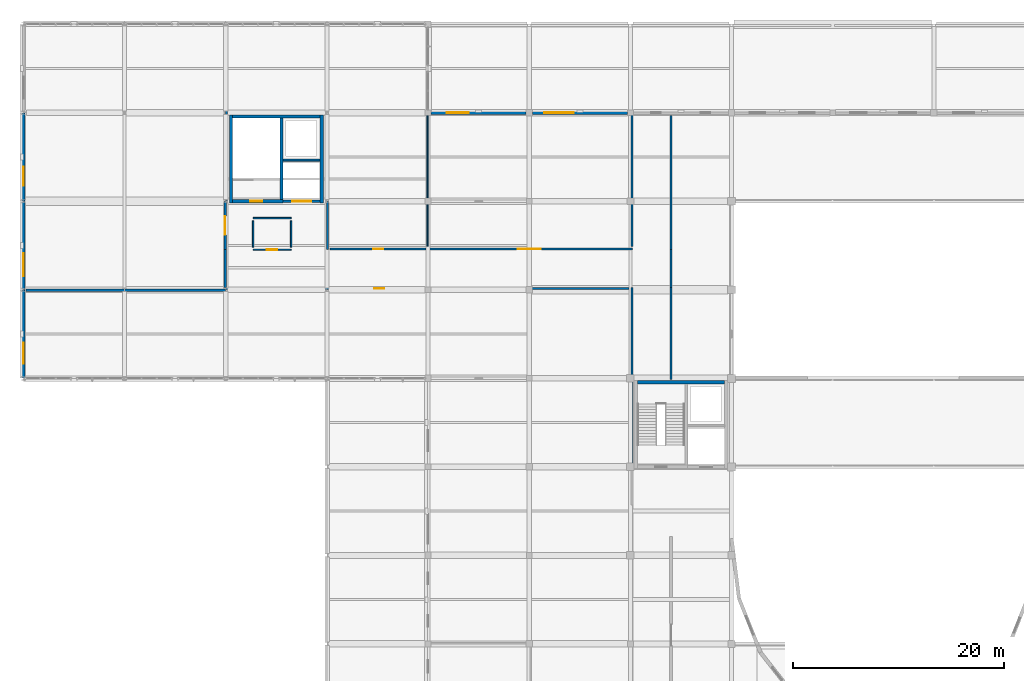
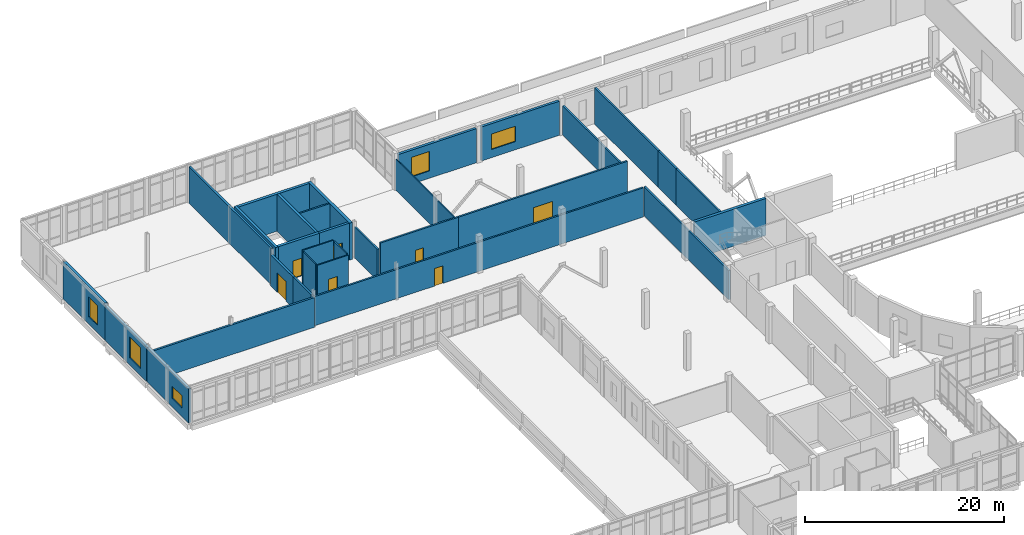
# One storey, part 76 of 88: 31 walls, 7 doors, 5 windows, 12 openings.
"""IFC4 building model written with IfcOpenShell, lengths in metres."""

from ifc_helpers import new_model, si_unit, direction, frame, frame_2d, origin, place, context, subcontext, project, spatial, rectangle, extrude, material, layer, layer_set, type_object, element, fill, save


model = new_model("IFC4")

# Units and contexts
model_context = context("Model", 3, precision=1e-05, world=origin(), true_north=direction((0.0, 1.0)))
body_context = subcontext(model_context, "Body", "Model", "MODEL_VIEW")
ifc_project = project(units=[si_unit("LENGTHUNIT", "METRE"), si_unit("AREAUNIT", "SQUARE_METRE"), si_unit("VOLUMEUNIT", "CUBIC_METRE"), si_unit("PLANEANGLEUNIT", "RADIAN"), si_unit("MASSUNIT", "GRAM", prefix="KILO")], contexts=[model_context])

# Site, building, storey
site_placement = place(None, origin())
site = spatial("IfcSite", under=ifc_project, at=site_placement, CompositionType="ELEMENT")
building_placement = place(site_placement, origin())
building = spatial("IfcBuilding", under=site, at=building_placement, Name="Lornevale Opera House", CompositionType="ELEMENT")
storey_placement = place(building_placement, frame((0.0, 0.0, 10.199951171875)))
storey = spatial("IfcBuildingStorey", under=building, at=storey_placement, Name="L03", CompositionType="ELEMENT", Elevation=10.199951171875)

# Wall, opening, door
ifc_material_1 = material(Name="Concrete 40 MPa (CSA A23.1 C-1)", Category="concrete")
ifc_layer_1 = layer(ifc_material_1, 0.320068359375)
ifc_layer_set_1 = layer_set([ifc_layer_1], Name="Concrete 40 MPa (CSA A23.1 C-1)")
wall_type_1 = type_object("IfcWallType", Name="Core Shear Wall 320", PredefinedType="SHEAR", material=ifc_layer_set_1)
wall_1_placement = place(storey_placement, frame((19.860107421875, 84.0, 0.0), z_axis=(0.0, 0.0, 1.0), x_axis=(1.0, 0.0, 0.0)))
wall_1 = element("IfcWall", 1, at=wall_1_placement, inside=storey, type_object=wall_type_1, Name="North-West Workshop Core Core Shear Wall 320 WL-COR-0141", PredefinedType="SHEAR", context=body_context, shape_type="SweptSolid", body=[
    extrude(rectangle(XDim=4.77978515625, YDim=0.320068359375, at=frame_2d((2.389892578125, 0.0))), origin(), (0.0, 0.0, 1.0), 4.5400390625),
])
opening_1_placement = place(wall_1_placement, frame((1.68994140625, 0.0, 0.0)))
opening_1 = element("IfcOpeningElement", 2, at=opening_1_placement, cuts=wall_1, Name="Opening DR-T11", PredefinedType="OPENING", context=body_context, shape_type="SweptSolid", body=[
    extrude(rectangle(XDim=1.10009765625, YDim=2.199951171875, at=frame_2d((0.550048828125, 1.10009765625))), frame((0.0, 0.169921875, 0.0), z_axis=(0.0, -1.0, 0.0), x_axis=(1.0, 0.0, 0.0)), (0.0, 0.0, 1.0), 0.340087890625),
])
ifc_material_2 = material(Name="Painted Hollow Metal Door Steel", Category="steel")
ifc_layer_2 = layer(ifc_material_2, 2.199951171875)
ifc_layer_set_2 = layer_set([ifc_layer_2], Name="Painted Hollow Metal Door Steel")
door_type_1 = type_object("IfcDoorType", Name="Protected Exit Stair Door R 1100x2200", OperationType="NOTDEFINED", PredefinedType="DOOR", material=ifc_layer_set_2)
door_1_placement = place(opening_1_placement, origin())
door_1 = element("IfcDoor", 3, at=door_1_placement, inside=storey, type_object=door_type_1, Name="C4 Stair Door L03", OperationType="SINGLE_SWING_RIGHT", OverallHeight=2.199951171875, OverallWidth=1.10009765625, PredefinedType="DOOR", context=body_context, shape_type="SweptSolid", body=[
    extrude(rectangle(XDim=1.10009765625, YDim=2.199951171875, at=frame_2d((0.550048828125, 1.10009765625))), frame((0.0, 0.02490234375, 0.0), z_axis=(0.0, -1.0, 0.0), x_axis=(1.0, 0.0, 0.0)), (0.0, 0.0, 1.0), 0.050048828125),
])
fill(opening_1, door_1)

# Walls
wall_2_placement = place(storey_placement, frame((28.139892578125, 92.0400390625, 0.0), z_axis=(0.0, 0.0, 1.0), x_axis=(-1.0, 0.0, 0.0)))
element("IfcWall", 4, at=wall_2_placement, inside=storey, type_object=wall_type_1, Name="North-West Workshop Core Core Shear Wall 320 WL-COR-0143", PredefinedType="SHEAR", context=body_context, shape_type="SweptSolid", body=[
    extrude(rectangle(XDim=8.27978515625, YDim=0.320068359375, at=frame_2d((4.139892578125, 0.0))), origin(), (0.0, 0.0, 1.0), 4.5400390625),
])
for number, where, z_axis, x_axis, name in (
    (5, (19.699951171875, 92.199951171875, 0.0), (0.0, 0.0, 1.0), (0.0, -1.0, 0.0), "North-West Workshop Core Core Shear Wall 320 WL-COR-0144"),
    (6, (28.300048828125, 83.840087890625, 0.0), (0.0, 0.0, 1.0), (0.0, 1.0, 0.0), "North-West Workshop Core Core Shear Wall 320 WL-COR-0145"),
):
    element("IfcWall", number, at=place(storey_placement, frame(where, z_axis=z_axis, x_axis=x_axis)), inside=storey, type_object=wall_type_1, Name=name, PredefinedType="SHEAR", context=body_context, shape_type="SweptSolid", body=[
        extrude(rectangle(XDim=8.35986328125, YDim=0.320068359375, at=frame_2d((4.179931640625, 0.0))), origin(), (0.0, 0.0, 1.0), 4.5400390625),
    ])
wall_3_placement = place(storey_placement, frame((66.5400390625, 66.840087890625, 0.0), z_axis=(0.0, 0.0, 1.0), x_axis=(-1.0, 0.0, 0.0)))
element("IfcWall", 7, at=wall_3_placement, inside=storey, type_object=wall_type_1, Name="Auditorium West Tier Core Core Shear Wall 320 WL-COR-0178", PredefinedType="SHEAR", context=body_context, shape_type="SweptSolid", body=[
    extrude(rectangle(XDim=8.280029296875, YDim=0.320068359375, at=frame_2d((4.14013671875, 0.0))), origin(), (0.0, 0.0, 1.0), 4.5400390625),
])
ifc_material_3 = material(Name="Acoustic Mineral-Core Gypsum Partition", Category="gypsum")
ifc_layer_3 = layer(ifc_material_3, 0.125)
ifc_layer_set_3 = layer_set([ifc_layer_3], Name="Acoustic Mineral-Core Gypsum Partition")
wall_type_2 = type_object("IfcWallType", Name="Dressing Suite Partition 125", PredefinedType="PARTITIONING", material=ifc_layer_set_3)
wall_4_placement = place(storey_placement, frame((38.340087890625, 79.7099609375, 0.0), z_axis=(0.0, 0.0, 1.0), x_axis=(0.0, 1.0, 0.0)))
element("IfcWall", 8, at=wall_4_placement, inside=storey, type_object=wall_type_2, Name="L03 Partition WL-INT-0860", PredefinedType="PARTITIONING", context=body_context, shape_type="SweptSolid", body=[
    extrude(rectangle(XDim=12.469970703125, YDim=0.125, at=frame_2d((6.23486328125, 0.0))), origin(), (0.0, 0.0, 1.0), 3.80712890625),
])

# Wall, opening, door
ifc_layer_4 = layer(ifc_material_1, 0.280029296875)
ifc_layer_set_4 = layer_set([ifc_layer_4], Name="Concrete 40 MPa (CSA A23.1 C-1)")
wall_type_3 = type_object("IfcWallType", Name="Elevator Shaft Wall 280", PredefinedType="SHEAR", material=ifc_layer_set_4)
wall_5_placement = place(storey_placement, frame((24.639892578125, 84.0, 0.0), z_axis=(0.0, 0.0, 1.0), x_axis=(1.0, 0.0, 0.0)))
wall_5 = element("IfcWall", 9, at=wall_5_placement, inside=storey, type_object=wall_type_3, Name="North-West Workshop Core Elevator Shaft Wall 280 WL-COR-0142", PredefinedType="SHEAR", context=body_context, shape_type="SweptSolid", body=[
    extrude(rectangle(XDim=3.5, YDim=0.280029296875, at=frame_2d((1.75, 0.0))), origin(), (0.0, 0.0, 1.0), 4.5400390625),
])
opening_2_placement = place(wall_5_placement, frame((0.860107421875, 0.0, 0.0)))
opening_2 = element("IfcOpeningElement", 10, at=opening_2_placement, cuts=wall_5, Name="Opening DR-T27", PredefinedType="OPENING", context=body_context, shape_type="SweptSolid", body=[
    extrude(rectangle(XDim=1.800048828125, YDim=2.39990234375, at=frame_2d((0.89990234375, 1.199951171875))), frame((0.0, 0.14990234375, 0.0), z_axis=(0.0, -1.0, 0.0), x_axis=(1.0, 0.0, 0.0)), (0.0, 0.0, 1.0), 0.300048828125),
])
ifc_layer_5 = layer(ifc_material_2, 2.39990234375)
ifc_layer_set_5 = layer_set([ifc_layer_5], Name="Painted Hollow Metal Door Steel")
door_type_2 = type_object("IfcDoorType", Name="Freight Lift Landing Door 1800x2400", OperationType="NOTDEFINED", PredefinedType="DOOR", material=ifc_layer_set_5)
door_2_placement = place(opening_2_placement, origin())
door_2 = element("IfcDoor", 11, at=door_2_placement, inside=storey, type_object=door_type_2, Name="L-B1 Landing Door L03", OperationType="SLIDING_TO_LEFT", OverallHeight=2.39990234375, OverallWidth=1.800048828125, PredefinedType="DOOR", context=body_context, shape_type="SweptSolid", body=[
    extrude(rectangle(XDim=1.800048828125, YDim=2.39990234375, at=frame_2d((0.89990234375, 1.199951171875))), frame((0.0, 0.02490234375, 0.0), z_axis=(0.0, -1.0, 0.0), x_axis=(1.0, 0.0, 0.0)), (0.0, 0.0, 1.0), 0.050048828125),
])
fill(opening_2, door_2)

# Wall
wall_6_placement = place(storey_placement, frame((24.5, 84.159912109375, 0.0), z_axis=(0.0, 0.0, 1.0), x_axis=(0.0, 1.0, 0.0)))
element("IfcWall", 12, at=wall_6_placement, inside=storey, type_object=wall_type_3, Name="North-West Workshop Core Elevator Shaft Wall 280 WL-COR-0146", PredefinedType="SHEAR", context=body_context, shape_type="SweptSolid", body=[
    extrude(rectangle(XDim=7.719970703125, YDim=0.280029296875, at=frame_2d((3.85986328125, 0.0))), origin(), (0.0, 0.0, 1.0), 4.5400390625),
])

# Wall, opening, door
ifc_layer_6 = layer(ifc_material_3, 0.199951171875)
ifc_layer_set_6 = layer_set([ifc_layer_6], Name="Acoustic Mineral-Core Gypsum Partition")
wall_type_4 = type_object("IfcWallType", Name="Practice Studio Double-Stud Wall 200", PredefinedType="SOLIDWALL", material=ifc_layer_set_6)
wall_7_placement = place(storey_placement, frame((38.199951171875, 79.4599609375, 0.0), z_axis=(0.0, 0.0, 1.0), x_axis=(1.0, 0.0, 0.0)))
wall_7 = element("IfcWall", 13, at=wall_7_placement, inside=storey, type_object=wall_type_4, Name="L03 Partition WL-INT-0822", PredefinedType="SOLIDWALL", context=body_context, shape_type="SweptSolid", body=[
    extrude(rectangle(XDim=19.60009765625, YDim=0.199951171875, at=frame_2d((9.800048828125, 0.0))), origin(), (0.0, 0.0, 1.0), 4.47998046875),
])
opening_3_placement = place(wall_7_placement, frame((8.699951171875, 0.0, 0.0)))
opening_3 = element("IfcOpeningElement", 14, at=opening_3_placement, cuts=wall_7, Name="Opening DR-T17", PredefinedType="OPENING", context=body_context, shape_type="SweptSolid", body=[
    extrude(rectangle(XDim=2.199951171875, YDim=2.60009765625, at=frame_2d((1.10009765625, 1.300048828125))), frame((0.0, 0.10986328125, 0.0), z_axis=(0.0, -1.0, 0.0), x_axis=(1.0, 0.0, 0.0)), (0.0, 0.0, 1.0), 0.219970703125),
])
ifc_layer_7 = layer(ifc_material_2, 2.60009765625)
ifc_layer_set_7 = layer_set([ifc_layer_7], Name="Painted Hollow Metal Door Steel")
door_type_3 = type_object("IfcDoorType", Name="Workshop Acoustic Pair 2200x2600", OperationType="NOTDEFINED", PredefinedType="DOOR", material=ifc_layer_set_7)
door_3_placement = place(opening_3_placement, origin())
door_3 = element("IfcDoor", 15, at=door_3_placement, inside=storey, type_object=door_type_3, Name="Costume Tailoring Workshop Door", OperationType="DOUBLE_SWING_LEFT", OverallHeight=2.60009765625, OverallWidth=2.199951171875, PredefinedType="DOOR", context=body_context, shape_type="SweptSolid", body=[
    extrude(rectangle(XDim=2.199951171875, YDim=2.60009765625, at=frame_2d((1.10009765625, 1.300048828125))), frame((0.0, 0.02490234375, 0.0), z_axis=(0.0, -1.0, 0.0), x_axis=(1.0, 0.0, 0.0)), (0.0, 0.0, 1.0), 0.050048828125),
])
fill(opening_3, door_3)

# Walls
wall_8_placement = place(storey_placement, frame((57.739990234375, 79.7099609375, 0.0), z_axis=(0.0, 0.0, 1.0), x_axis=(0.0, 1.0, 0.0)))
element("IfcWall", 16, at=wall_8_placement, inside=storey, type_object=wall_type_4, Name="L03 Partition WL-INT-0823", PredefinedType="SOLIDWALL", context=body_context, shape_type="SweptSolid", body=[
    extrude(rectangle(XDim=12.469970703125, YDim=0.199951171875, at=frame_2d((6.23486328125, 0.0))), origin(), (0.0, 0.0, 1.0), 3.575927734375),
])
wall_9_placement = place(storey_placement, frame((57.739990234375, 58.800048828125, 0.0), z_axis=(0.0, 0.0, 1.0), x_axis=(0.0, 1.0, 0.0)))
element("IfcWall", 17, at=wall_9_placement, inside=storey, type_object=wall_type_4, Name="L03 Partition WL-INT-0826", PredefinedType="SOLIDWALL", context=body_context, shape_type="SweptSolid", body=[
    extrude(rectangle(XDim=17.0, YDim=0.199951171875, at=frame_2d((8.5, 0.0))), origin(), (0.0, 0.0, 1.0), 3.575927734375),
])

# Wall, opening, door
wall_10_placement = place(storey_placement, frame((19.199951171875, 75.739990234375, 0.0), z_axis=(0.0, 0.0, 1.0), x_axis=(1.0, 0.0, 0.0)))
wall_10 = element("IfcWall", 18, at=wall_10_placement, inside=storey, type_object=wall_type_4, Name="L03 Partition WL-INT-0827", PredefinedType="SOLIDWALL", context=body_context, shape_type="SweptSolid", body=[
    extrude(rectangle(XDim=38.2900390625, YDim=0.199951171875, at=frame_2d((19.14501953125, 0.0))), origin(), (0.0, 0.0, 1.0), 3.575927734375),
])
opening_4_placement = place(wall_10_placement, frame((14.074951171875, 0.0, 0.0)))
opening_4 = element("IfcOpeningElement", 19, at=opening_4_placement, cuts=wall_10, Name="Opening DR-T20", PredefinedType="OPENING", context=body_context, shape_type="SweptSolid", body=[
    extrude(rectangle(XDim=0.949951171875, YDim=2.14990234375, at=frame_2d((0.47509765625, 1.074951171875))), frame((0.0, 0.10986328125, 0.0), z_axis=(0.0, -1.0, 0.0), x_axis=(1.0, 0.0, 0.0)), (0.0, 0.0, 1.0), 0.219970703125),
])
ifc_material_4 = material(Name="White Oak Acoustic Panelling", Category="wood")
ifc_layer_8 = layer(ifc_material_4, 2.14990234375)
ifc_layer_set_8 = layer_set([ifc_layer_8], Name="White Oak Acoustic Panelling")
door_type_4 = type_object("IfcDoorType", Name="Soloist Dressing Door R 950x2150", OperationType="NOTDEFINED", PredefinedType="DOOR", material=ifc_layer_set_8)
door_4_placement = place(opening_4_placement, origin())
door_4 = element("IfcDoor", 20, at=door_4_placement, inside=storey, type_object=door_type_4, Name="Costume Fitting & Wig Studio Door", OperationType="SINGLE_SWING_RIGHT", OverallHeight=2.14990234375, OverallWidth=0.949951171875, PredefinedType="DOOR", context=body_context, shape_type="SweptSolid", body=[
    extrude(rectangle(XDim=0.949951171875, YDim=2.14990234375, at=frame_2d((0.47509765625, 1.074951171875))), frame((0.0, 0.02490234375, 0.0), z_axis=(0.0, -1.0, 0.0), x_axis=(1.0, 0.0, 0.0)), (0.0, 0.0, 1.0), 0.050048828125),
])
fill(opening_4, door_4)

# Walls
wall_11_placement = place(storey_placement, frame((61.4599609375, 79.39990234375, 0.0), z_axis=(0.0, 0.0, 1.0), x_axis=(0.0, 1.0, 0.0)))
element("IfcWall", 21, at=wall_11_placement, inside=storey, type_object=wall_type_4, Name="L03 Partition WL-INT-0828", PredefinedType="SOLIDWALL", context=body_context, shape_type="SweptSolid", body=[
    extrude(rectangle(XDim=12.75, YDim=0.199951171875, at=frame_2d((6.375, 0.0))), origin(), (0.0, 0.0, 1.0), 4.47998046875),
])
wall_12_placement = place(storey_placement, frame((61.4599609375, 75.800048828125, 0.0), z_axis=(0.0, 0.0, 1.0), x_axis=(0.0, 1.0, 0.0)))
element("IfcWall", 22, at=wall_12_placement, inside=storey, type_object=wall_type_4, Name="L03 Partition WL-INT-0829", PredefinedType="SOLIDWALL", context=body_context, shape_type="SweptSolid", body=[
    extrude(rectangle(XDim=3.599853515625, YDim=0.199951171875, at=frame_2d((1.7998046875, 0.0))), origin(), (0.0, 0.0, 1.0), 4.47998046875),
])
wall_13_placement = place(storey_placement, frame((61.4599609375, 67.090087890625, 0.0), z_axis=(0.0, 0.0, 1.0), x_axis=(0.0, 1.0, 0.0)))
element("IfcWall", 23, at=wall_13_placement, inside=storey, type_object=wall_type_4, Name="L03 Partition WL-INT-0830", PredefinedType="SOLIDWALL", context=body_context, shape_type="SweptSolid", body=[
    extrude(rectangle(XDim=8.7099609375, YDim=0.199951171875, at=frame_2d((4.35498046875, 0.0))), origin(), (0.0, 0.0, 1.0), 4.47998046875),
])
wall_14_placement = place(storey_placement, frame((28.860107421875, 79.39990234375, 0.0), z_axis=(0.0, 0.0, 1.0), x_axis=(0.0, 1.0, 0.0)))
element("IfcWall", 24, at=wall_14_placement, inside=storey, type_object=wall_type_4, Name="L03 Partition WL-INT-0831", PredefinedType="SOLIDWALL", context=body_context, shape_type="SweptSolid", body=[
    extrude(rectangle(XDim=4.60009765625, YDim=0.199951171875, at=frame_2d((2.300048828125, 0.0))), origin(), (0.0, 0.0, 1.0), 3.80712890625),
])

# Wall, opening, door
wall_15_placement = place(storey_placement, frame((29.110107421875, 79.4599609375, 0.0), z_axis=(0.0, 0.0, 1.0), x_axis=(1.0, 0.0, 0.0)))
wall_15 = element("IfcWall", 25, at=wall_15_placement, inside=storey, type_object=wall_type_4, Name="L03 Partition WL-INT-0832", PredefinedType="SOLIDWALL", context=body_context, shape_type="SweptSolid", body=[
    extrude(rectangle(XDim=9.08984375, YDim=0.199951171875, at=frame_2d((4.544921875, 0.0))), origin(), (0.0, 0.0, 1.0), 4.47998046875),
])
opening_5_placement = place(wall_15_placement, frame((4.070068359375, 0.0, 0.0)))
opening_5 = element("IfcOpeningElement", 26, at=opening_5_placement, cuts=wall_15, Name="Opening DR-T19", PredefinedType="OPENING", context=body_context, shape_type="SweptSolid", body=[
    extrude(rectangle(XDim=0.949951171875, YDim=2.14990234375, at=frame_2d((0.47509765625, 1.074951171875))), frame((0.0, 0.10986328125, 0.0), z_axis=(0.0, -1.0, 0.0), x_axis=(1.0, 0.0, 0.0)), (0.0, 0.0, 1.0), 0.219970703125),
])
ifc_layer_9 = layer(ifc_material_4, 2.14990234375)
ifc_layer_set_9 = layer_set([ifc_layer_9], Name="White Oak Acoustic Panelling")
door_type_5 = type_object("IfcDoorType", Name="Soloist Dressing Door L 950x2150", OperationType="NOTDEFINED", PredefinedType="DOOR", material=ifc_layer_set_9)
door_5_placement = place(opening_5_placement, origin())
door_5 = element("IfcDoor", 27, at=door_5_placement, inside=storey, type_object=door_type_5, Name="Costume Fitting & Wig Studio Door", OperationType="SINGLE_SWING_LEFT", OverallHeight=2.14990234375, OverallWidth=0.949951171875, PredefinedType="DOOR", context=body_context, shape_type="SweptSolid", body=[
    extrude(rectangle(XDim=0.949951171875, YDim=2.14990234375, at=frame_2d((0.47509765625, 1.074951171875))), frame((0.0, 0.02490234375, 0.0), z_axis=(0.0, -1.0, 0.0), x_axis=(1.0, 0.0, 0.0)), (0.0, 0.0, 1.0), 0.050048828125),
])
fill(opening_5, door_5)

# Wall, opening, window
ifc_material_5 = material(Name="Queenston Buff Limestone Ashlar Masonry (25 MPa)", Category="masonry")
ifc_layer_10 = layer(ifc_material_5, 0.31005859375)
ifc_layer_set_10 = layer_set([ifc_layer_10], Name="Queenston Buff Limestone Ashlar Masonry (25 MPa)")
wall_type_5 = type_object("IfcWallType", Name="Rehearsal Pavilion Limestone Wall 310", PredefinedType="SOLIDWALL", material=ifc_layer_set_10)
wall_16_placement = place(storey_placement, frame((0.0, 67.219970703125, 0.0), z_axis=(0.0, 0.0, 1.0), x_axis=(0.0, 1.0, 0.0)))
wall_16 = element("IfcWall", 28, at=wall_16_placement, inside=storey, type_object=wall_type_5, Name="Rehearsal Pavilion Limestone Wall 310 WL-EXT-0221", PredefinedType="SOLIDWALL", context=body_context, shape_type="SweptSolid", body=[
    extrude(rectangle(XDim=8.360107421875, YDim=0.31005859375, at=frame_2d((4.18017578125, 0.0))), origin(), (0.0, 0.0, 1.0), 4.177978515625),
])
opening_6_placement = place(wall_16_placement, frame((1.341064453125, 0.0, 1.050048828125)))
opening_6 = element("IfcOpeningElement", 29, at=opening_6_placement, cuts=wall_16, Name="Opening WN-T11", PredefinedType="OPENING", context=body_context, shape_type="SweptSolid", body=[
    extrude(rectangle(XDim=2.0, YDim=1.5, at=frame_2d((1.0, 0.75))), frame((0.0, 0.1650390625, 0.0), z_axis=(0.0, -1.0, 0.0), x_axis=(1.0, 0.0, 0.0)), (0.0, 0.0, 1.0), 0.330078125),
])
ifc_material_6 = material(Name="Triple Low-E Insulated Glazing", Category="glass")
ifc_layer_11 = layer(ifc_material_6, 0.06005859375)
ifc_layer_set_11 = layer_set([ifc_layer_11], Name="Triple Low-E Insulated Glazing")
window_type_1 = type_object("IfcWindowType", Name="Workshop Operable Window 2000x1500", PartitioningType="NOTDEFINED", PredefinedType="WINDOW", material=ifc_layer_set_11)
window_1_placement = place(opening_6_placement, origin())
window_1 = element("IfcWindow", 30, at=window_1_placement, inside=storey, type_object=window_type_1, Name="Workshop Operable Window 2000x1500 WN-0065", OverallHeight=1.5, OverallWidth=2.0, PartitioningType="SINGLE_PANEL", PredefinedType="WINDOW", context=body_context, shape_type="SweptSolid", body=[
    extrude(rectangle(XDim=2.0, YDim=1.5, at=frame_2d((1.0, 0.75))), frame((0.0, 0.030029296875, 0.0), z_axis=(0.0, -1.0, 0.0), x_axis=(1.0, 0.0, 0.0)), (0.0, 0.0, 1.0), 0.06005859375),
])
fill(opening_6, window_1)

wall_17_placement = place(storey_placement, frame((0.0, 75.6201171875, 0.0), z_axis=(0.0, 0.0, 1.0), x_axis=(0.0, 1.0, 0.0)))
wall_17 = element("IfcWall", 31, at=wall_17_placement, inside=storey, type_object=wall_type_5, Name="Rehearsal Pavilion Limestone Wall 310 WL-EXT-0222", PredefinedType="SOLIDWALL", context=body_context, shape_type="SweptSolid", body=[
    extrude(rectangle(XDim=8.35986328125, YDim=0.31005859375, at=frame_2d((4.179931640625, 0.0))), origin(), (0.0, 0.0, 1.0), 4.177978515625),
])
opening_7_placement = place(wall_17_placement, frame((1.240966796875, 0.0, 0.85009765625)))
opening_7 = element("IfcOpeningElement", 32, at=opening_7_placement, cuts=wall_17, Name="Opening WN-T16", PredefinedType="OPENING", context=body_context, shape_type="SweptSolid", body=[
    extrude(rectangle(XDim=2.199951171875, YDim=2.550048828125, at=frame_2d((1.10009765625, 1.27490234375))), frame((0.0, 0.1650390625, 0.0), z_axis=(0.0, -1.0, 0.0), x_axis=(1.0, 0.0, 0.0)), (0.0, 0.0, 1.0), 0.330078125),
])
ifc_layer_12 = layer(ifc_material_6, 0.06005859375)
ifc_layer_set_12 = layer_set([ifc_layer_12], Name="Triple Low-E Insulated Glazing")
window_type_2 = type_object("IfcWindowType", Name="Manuscript Library Bay Window 2200x2550", PartitioningType="NOTDEFINED", PredefinedType="WINDOW", material=ifc_layer_set_12)
window_2_placement = place(opening_7_placement, origin())
window_2 = element("IfcWindow", 33, at=window_2_placement, inside=storey, type_object=window_type_2, Name="Manuscript Library Bay Window 2200x2550 WN-0066", OverallHeight=2.550048828125, OverallWidth=2.199951171875, PartitioningType="SINGLE_PANEL", PredefinedType="WINDOW", context=body_context, shape_type="SweptSolid", body=[
    extrude(rectangle(XDim=2.199951171875, YDim=2.550048828125, at=frame_2d((1.10009765625, 1.27490234375))), frame((0.0, 0.030029296875, 0.0), z_axis=(0.0, -1.0, 0.0), x_axis=(1.0, 0.0, 0.0)), (0.0, 0.0, 1.0), 0.06005859375),
])
fill(opening_7, window_2)

wall_18_placement = place(storey_placement, frame((0.0, 84.02001953125, 0.0), z_axis=(0.0, 0.0, 1.0), x_axis=(0.0, 1.0, 0.0)))
wall_18 = element("IfcWall", 34, at=wall_18_placement, inside=storey, type_object=wall_type_5, Name="Rehearsal Pavilion Limestone Wall 310 WL-EXT-0223", PredefinedType="SOLIDWALL", context=body_context, shape_type="SweptSolid", body=[
    extrude(rectangle(XDim=8.35986328125, YDim=0.31005859375, at=frame_2d((4.179931640625, 0.0))), origin(), (0.0, 0.0, 1.0), 4.5400390625),
])
opening_8_placement = place(wall_18_placement, frame((1.44091796875, 0.0, 0.89990234375)))
opening_8 = element("IfcOpeningElement", 35, at=opening_8_placement, cuts=wall_18, Name="Opening WN-T01", PredefinedType="OPENING", context=body_context, shape_type="SweptSolid", body=[
    extrude(rectangle(XDim=1.800048828125, YDim=2.39990234375, at=frame_2d((0.89990234375, 1.199951171875))), frame((0.0, 0.1650390625, 0.0), z_axis=(0.0, -1.0, 0.0), x_axis=(1.0, 0.0, 0.0)), (0.0, 0.0, 1.0), 0.330078125),
])
ifc_layer_13 = layer(ifc_material_6, 0.06005859375)
ifc_layer_set_13 = layer_set([ifc_layer_13], Name="Triple Low-E Insulated Glazing")
window_type_3 = type_object("IfcWindowType", Name="Punched Deep-Reveal Window 1800x2400", PartitioningType="NOTDEFINED", PredefinedType="WINDOW", material=ifc_layer_set_13)
window_3_placement = place(opening_8_placement, origin())
window_3 = element("IfcWindow", 36, at=window_3_placement, inside=storey, type_object=window_type_3, Name="Punched Deep-Reveal Window 1800x2400 WN-0067", OverallHeight=2.39990234375, OverallWidth=1.800048828125, PartitioningType="SINGLE_PANEL", PredefinedType="WINDOW", context=body_context, shape_type="SweptSolid", body=[
    extrude(rectangle(XDim=1.800048828125, YDim=2.39990234375, at=frame_2d((0.89990234375, 1.199951171875))), frame((0.0, 0.030029296875, 0.0), z_axis=(0.0, -1.0, 0.0), x_axis=(1.0, 0.0, 0.0)), (0.0, 0.0, 1.0), 0.06005859375),
])
fill(opening_8, window_3)

# Wall
ifc_layer_14 = layer(ifc_material_3, 0.22998046875)
ifc_layer_set_14 = layer_set([ifc_layer_14], Name="Acoustic Mineral-Core Gypsum Partition")
wall_type_6 = type_object("IfcWallType", Name="Rehearsal Studio Acoustic Wall 230", PredefinedType="SOLIDWALL", material=ifc_layer_set_14)
wall_19_placement = place(storey_placement, frame((19.139892578125, 75.800048828125, 0.0), z_axis=(0.0, 0.0, 1.0), x_axis=(0.0, 1.0, 0.0)))
element("IfcWall", 37, at=wall_19_placement, inside=storey, type_object=wall_type_6, Name="L03 Partition WL-INT-0820", PredefinedType="SOLIDWALL", context=body_context, shape_type="SweptSolid", body=[
    extrude(rectangle(XDim=3.599853515625, YDim=0.22998046875, at=frame_2d((1.7998046875, 0.0))), origin(), (0.0, 0.0, 1.0), 3.80712890625),
])

# Wall, opening, door
wall_20_placement = place(storey_placement, frame((19.139892578125, 79.39990234375, 0.0), z_axis=(0.0, 0.0, 1.0), x_axis=(0.0, 1.0, 0.0)))
wall_20 = element("IfcWall", 38, at=wall_20_placement, inside=storey, type_object=wall_type_6, Name="L03 Partition WL-INT-0821", PredefinedType="SOLIDWALL", context=body_context, shape_type="SweptSolid", body=[
    extrude(rectangle(XDim=4.60009765625, YDim=0.22998046875, at=frame_2d((2.300048828125, 0.0))), origin(), (0.0, 0.0, 1.0), 3.80712890625),
])
opening_9_placement = place(wall_20_placement, frame((1.39990234375, 0.0, 0.0)))
opening_9 = element("IfcOpeningElement", 39, at=opening_9_placement, cuts=wall_20, Name="Opening DR-T18", PredefinedType="OPENING", context=body_context, shape_type="SweptSolid", body=[
    extrude(rectangle(XDim=1.800048828125, YDim=2.39990234375, at=frame_2d((0.89990234375, 1.199951171875))), frame((0.0, 0.125, 0.0), z_axis=(0.0, -1.0, 0.0), x_axis=(1.0, 0.0, 0.0)), (0.0, 0.0, 1.0), 0.25),
])
ifc_layer_15 = layer(ifc_material_4, 2.39990234375)
ifc_layer_set_15 = layer_set([ifc_layer_15], Name="White Oak Acoustic Panelling")
door_type_6 = type_object("IfcDoorType", Name="Rehearsal Studio Pair 1800x2400", OperationType="NOTDEFINED", PredefinedType="DOOR", material=ifc_layer_set_15)
door_6_placement = place(opening_9_placement, origin())
door_6 = element("IfcDoor", 40, at=door_6_placement, inside=storey, type_object=door_type_6, Name="Ensemble Rehearsal Hall Door", OperationType="DOUBLE_SWING_LEFT", OverallHeight=2.39990234375, OverallWidth=1.800048828125, PredefinedType="DOOR", context=body_context, shape_type="SweptSolid", body=[
    extrude(rectangle(XDim=1.800048828125, YDim=2.39990234375, at=frame_2d((0.89990234375, 1.199951171875))), frame((0.0, 0.02490234375, 0.0), z_axis=(0.0, -1.0, 0.0), x_axis=(1.0, 0.0, 0.0)), (0.0, 0.0, 1.0), 0.050048828125),
])
fill(opening_9, door_6)

# Walls
wall_21_placement = place(storey_placement, frame((0.25, 75.5400390625, 0.0), z_axis=(0.0, 0.0, 1.0), x_axis=(1.0, 0.0, 0.0)))
element("IfcWall", 41, at=wall_21_placement, inside=storey, type_object=wall_type_6, Name="L03 Partition WL-INT-0858", PredefinedType="SOLIDWALL", context=body_context, shape_type="SweptSolid", body=[
    extrude(rectangle(XDim=18.949951171875, YDim=0.22998046875, at=frame_2d((9.47509765625, 0.0))), origin(), (0.0, 0.0, 1.0), 3.649169921875),
])
wall_22_placement = place(storey_placement, frame((19.260009765625, 84.06005859375, 0.0), z_axis=(0.0, 0.0, 1.0), x_axis=(0.0, 1.0, 0.0)))
element("IfcWall", 42, at=wall_22_placement, inside=storey, type_object=wall_type_6, Name="L03 Partition WL-INT-0859", PredefinedType="SOLIDWALL", context=body_context, shape_type="SweptSolid", body=[
    extrude(rectangle(XDim=16.52001953125, YDim=0.22998046875, at=frame_2d((8.260009765625, 0.0))), origin(), (0.0, 0.0, 1.0), 4.47998046875),
])
ifc_material_7 = material(Name="Moisture-Resistant Ceramic & Gypsum Partition", Category="gypsum")
ifc_layer_16 = layer(ifc_material_7, 0.179931640625)
ifc_layer_set_16 = layer_set([ifc_layer_16], Name="Moisture-Resistant Ceramic & Gypsum Partition")
wall_type_7 = type_object("IfcWallType", Name="Riser Shaft Wall 180", PredefinedType="SOLIDWALL", material=ifc_layer_set_16)
wall_23_placement = place(storey_placement, frame((24.639892578125, 87.89990234375, 0.0), z_axis=(0.0, 0.0, 1.0), x_axis=(1.0, 0.0, 0.0)))
element("IfcWall", 43, at=wall_23_placement, inside=storey, type_object=wall_type_7, Name="North-West Workshop Core Riser Shaft Wall 180 WL-COR-0147", PredefinedType="SOLIDWALL", context=body_context, shape_type="SweptSolid", body=[
    extrude(rectangle(XDim=3.5, YDim=0.179931640625, at=frame_2d((1.75, 0.0))), origin(), (0.0, 0.0, 1.0), 4.5400390625),
])

# Wall, opening, door
ifc_layer_17 = layer(ifc_material_7, 0.139892578125)
ifc_layer_set_17 = layer_set([ifc_layer_17], Name="Moisture-Resistant Ceramic & Gypsum Partition")
wall_type_8 = type_object("IfcWallType", Name="Washroom Moisture Partition 140", PredefinedType="PARTITIONING", material=ifc_layer_set_17)
wall_24_placement = place(storey_placement, frame((21.800048828125, 79.39990234375, 0.0), z_axis=(0.0, 0.0, 1.0), x_axis=(1.0, 0.0, 0.0)))
wall_24 = element("IfcWall", 44, at=wall_24_placement, inside=storey, type_object=wall_type_8, Name="Rehearsal Pavilion Accessible WC S Wall WL-INT-0496", PredefinedType="PARTITIONING", context=body_context, shape_type="SweptSolid", body=[
    extrude(rectangle(XDim=3.599853515625, YDim=0.139892578125, at=frame_2d((1.7998046875, 0.0))), origin(), (0.0, 0.0, 1.0), 4.320068359375),
])
opening_10_placement = place(wall_24_placement, frame((1.300048828125, 0.0, 0.0)))
opening_10 = element("IfcOpeningElement", 45, at=opening_10_placement, cuts=wall_24, Name="Opening DR-T23", PredefinedType="OPENING", context=body_context, shape_type="SweptSolid", body=[
    extrude(rectangle(XDim=1.0, YDim=2.14990234375, at=frame_2d((0.5, 1.074951171875))), frame((0.0, 0.079833984375, 0.0), z_axis=(0.0, -1.0, 0.0), x_axis=(1.0, 0.0, 0.0)), (0.0, 0.0, 1.0), 0.159912109375),
])
ifc_layer_18 = layer(ifc_material_4, 2.14990234375)
ifc_layer_set_18 = layer_set([ifc_layer_18], Name="White Oak Acoustic Panelling")
door_type_7 = type_object("IfcDoorType", Name="Accessible WC Door L 1000x2150", OperationType="NOTDEFINED", PredefinedType="DOOR", material=ifc_layer_set_18)
door_7_placement = place(opening_10_placement, origin())
door_7 = element("IfcDoor", 46, at=door_7_placement, inside=storey, type_object=door_type_7, Name="Rehearsal Pavilion Accessible WC Door", OperationType="SINGLE_SWING_LEFT", OverallHeight=2.14990234375, OverallWidth=1.0, PredefinedType="DOOR", context=body_context, shape_type="SweptSolid", body=[
    extrude(rectangle(XDim=1.0, YDim=2.14990234375, at=frame_2d((0.5, 1.074951171875))), frame((0.0, 0.02490234375, 0.0), z_axis=(0.0, -1.0, 0.0), x_axis=(1.0, 0.0, 0.0)), (0.0, 0.0, 1.0), 0.050048828125),
])
fill(opening_10, door_7)

# Walls
wall_25_placement = place(storey_placement, frame((21.800048828125, 82.39990234375, 0.0), z_axis=(0.0, 0.0, 1.0), x_axis=(1.0, 0.0, 0.0)))
element("IfcWall", 47, at=wall_25_placement, inside=storey, type_object=wall_type_8, Name="Rehearsal Pavilion Accessible WC N Wall WL-INT-0497", PredefinedType="PARTITIONING", context=body_context, shape_type="SweptSolid", body=[
    extrude(rectangle(XDim=3.599853515625, YDim=0.139892578125, at=frame_2d((1.7998046875, 0.0))), origin(), (0.0, 0.0, 1.0), 4.320068359375),
])
for number, where, z_axis, x_axis, name in (
    (48, (21.800048828125, 79.64990234375, 0.0), (0.0, 0.0, 1.0), (0.0, 1.0, 0.0), "Rehearsal Pavilion Accessible WC W Wall WL-INT-0498"),
    (49, (25.39990234375, 79.64990234375, 0.0), (0.0, 0.0, 1.0), (0.0, 1.0, 0.0), "Rehearsal Pavilion Accessible WC E Wall WL-INT-0499"),
):
    element("IfcWall", number, at=place(storey_placement, frame(where, z_axis=z_axis, x_axis=x_axis)), inside=storey, type_object=wall_type_8, Name=name, PredefinedType="PARTITIONING", context=body_context, shape_type="SweptSolid", body=[
        extrude(rectangle(XDim=2.5, YDim=0.139892578125, at=frame_2d((1.25, 0.0))), origin(), (0.0, 0.0, 1.0), 4.320068359375),
    ])

# Wall, opening, window
ifc_material_8 = material(Name="Precast Concrete 40 MPa (CSA A23.1 C-1)", Category="concrete")
ifc_layer_19 = layer(ifc_material_8, 0.2900390625)
ifc_layer_set_19 = layer_set([ifc_layer_19], Name="Precast Concrete 40 MPa (CSA A23.1 C-1)")
wall_type_9 = type_object("IfcWallType", Name="Workshop Insulated Precast Wall 290", PredefinedType="SOLIDWALL", material=ifc_layer_set_19)
wall_26_placement = place(storey_placement, frame((38.675048828125, 92.39990234375, 0.0), z_axis=(0.0, 0.0, 1.0), x_axis=(1.0, 0.0, 0.0)))
wall_26 = element("IfcWall", 50, at=wall_26_placement, inside=storey, type_object=wall_type_9, Name="Workshop Insulated Precast Wall 290 WL-EXT-0230", PredefinedType="SOLIDWALL", context=body_context, shape_type="SweptSolid", body=[
    extrude(rectangle(XDim=9.02490234375, YDim=0.2900390625, at=frame_2d((4.512451171875, 0.0))), origin(), (0.0, 0.0, 1.0), 4.177978515625),
])
opening_11_placement = place(wall_26_placement, frame((1.47705078125, 0.0, 0.89990234375)))
opening_11 = element("IfcOpeningElement", 51, at=opening_11_placement, cuts=wall_26, Name="Opening WN-T04", PredefinedType="OPENING", context=body_context, shape_type="SweptSolid", body=[
    extrude(rectangle(XDim=2.10009765625, YDim=2.39990234375, at=frame_2d((1.050048828125, 1.199951171875))), frame((0.0, 0.155029296875, 0.0), z_axis=(0.0, -1.0, 0.0), x_axis=(1.0, 0.0, 0.0)), (0.0, 0.0, 1.0), 0.31005859375),
])
ifc_layer_20 = layer(ifc_material_6, 0.06005859375)
ifc_layer_set_20 = layer_set([ifc_layer_20], Name="Triple Low-E Insulated Glazing")
window_type_4 = type_object("IfcWindowType", Name="Punched Deep-Reveal Window 2100x2400", PartitioningType="NOTDEFINED", PredefinedType="WINDOW", material=ifc_layer_set_20)
window_4_placement = place(opening_11_placement, origin())
window_4 = element("IfcWindow", 52, at=window_4_placement, inside=storey, type_object=window_type_4, Name="Punched Deep-Reveal Window 2100x2400 WN-0076", OverallHeight=2.39990234375, OverallWidth=2.10009765625, PartitioningType="SINGLE_PANEL", PredefinedType="WINDOW", context=body_context, shape_type="SweptSolid", body=[
    extrude(rectangle(XDim=2.10009765625, YDim=2.39990234375, at=frame_2d((1.050048828125, 1.199951171875))), frame((0.0, 0.030029296875, 0.0), z_axis=(0.0, -1.0, 0.0), x_axis=(1.0, 0.0, 0.0)), (0.0, 0.0, 1.0), 0.06005859375),
])
fill(opening_11, window_4)

wall_27_placement = place(storey_placement, frame((48.300048828125, 92.39990234375, 0.0), z_axis=(0.0, 0.0, 1.0), x_axis=(1.0, 0.0, 0.0)))
wall_27 = element("IfcWall", 53, at=wall_27_placement, inside=storey, type_object=wall_type_9, Name="Workshop Insulated Precast Wall 290 WL-EXT-0231", PredefinedType="SOLIDWALL", context=body_context, shape_type="SweptSolid", body=[
    extrude(rectangle(XDim=9.02490234375, YDim=0.2900390625, at=frame_2d((4.512451171875, 0.0))), origin(), (0.0, 0.0, 1.0), 4.177978515625),
])
opening_12_placement = place(wall_27_placement, frame((1.126953125, 0.0, 1.0)))
opening_12 = element("IfcOpeningElement", 54, at=opening_12_placement, cuts=wall_27, Name="Opening WN-T09", PredefinedType="OPENING", context=body_context, shape_type="SweptSolid", body=[
    extrude(rectangle(XDim=2.800048828125, YDim=1.89990234375, at=frame_2d((1.39990234375, 0.949951171875))), frame((0.0, 0.155029296875, 0.0), z_axis=(0.0, -1.0, 0.0), x_axis=(1.0, 0.0, 0.0)), (0.0, 0.0, 1.0), 0.31005859375),
])
ifc_layer_21 = layer(ifc_material_6, 0.06005859375)
ifc_layer_set_21 = layer_set([ifc_layer_21], Name="Triple Low-E Insulated Glazing")
window_type_5 = type_object("IfcWindowType", Name="Administration Ribbon Window 2800x1900", PartitioningType="NOTDEFINED", PredefinedType="WINDOW", material=ifc_layer_set_21)
window_5_placement = place(opening_12_placement, origin())
window_5 = element("IfcWindow", 55, at=window_5_placement, inside=storey, type_object=window_type_5, Name="Administration Ribbon Window 2800x1900 WN-0077", OverallHeight=1.89990234375, OverallWidth=2.800048828125, PartitioningType="SINGLE_PANEL", PredefinedType="WINDOW", context=body_context, shape_type="SweptSolid", body=[
    extrude(rectangle(XDim=2.800048828125, YDim=1.89990234375, at=frame_2d((1.39990234375, 0.949951171875))), frame((0.0, 0.030029296875, 0.0), z_axis=(0.0, -1.0, 0.0), x_axis=(1.0, 0.0, 0.0)), (0.0, 0.0, 1.0), 0.06005859375),
])
fill(opening_12, window_5)

save(model, "model.ifc")
